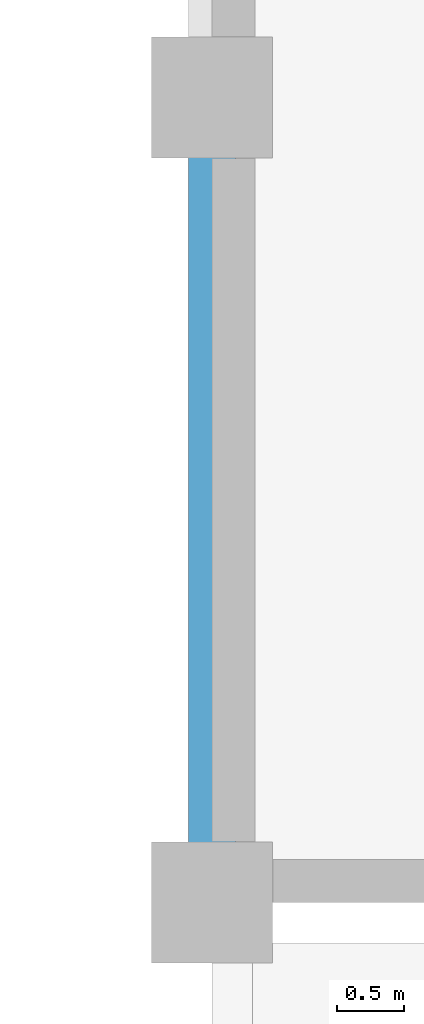
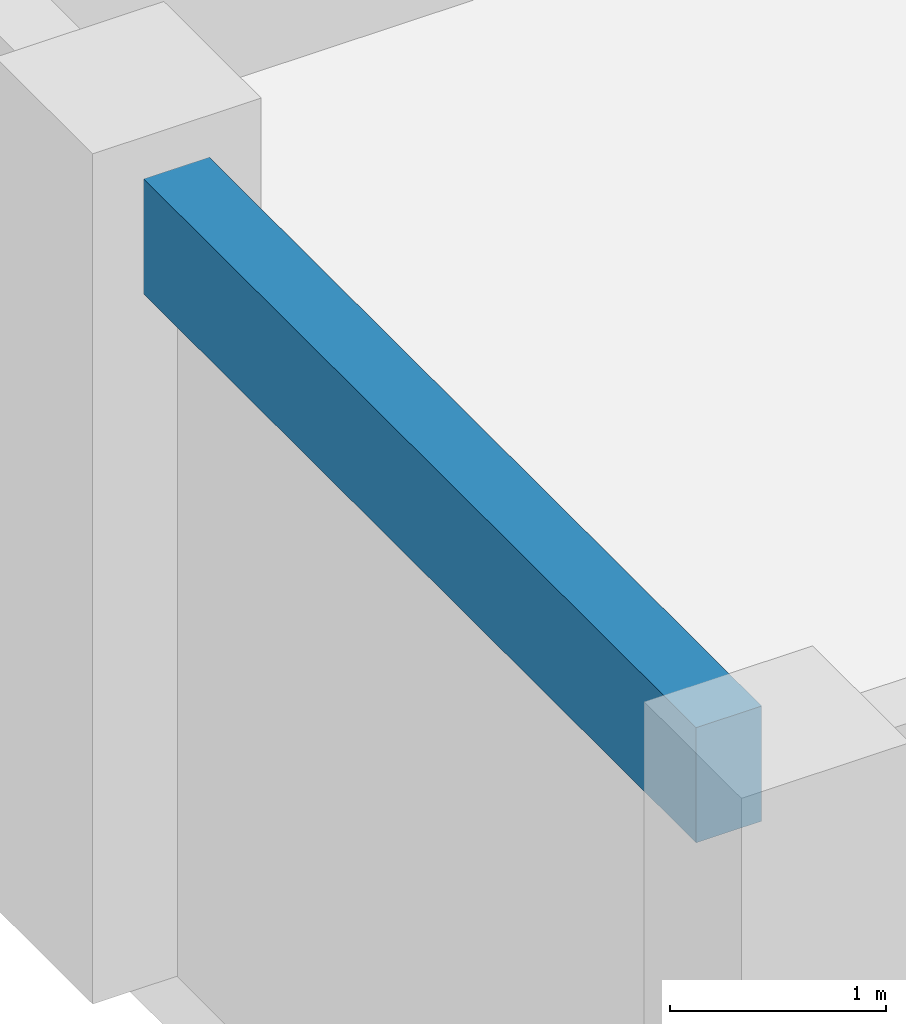
# One storey, part 22 of 112: 1 beam.
"""IFC4 building model written with IfcOpenShell, lengths in metres."""

from ifc_helpers import new_model, si_unit, direction, frame, origin, origin_2d, place, context, subcontext, project, spatial, rectangle, extrude, material, material_profile, profile_set, type_object, element, save


model = new_model("IFC4")

# Units and contexts
model_context = context("Model", 3, precision=1e-05, world=origin(), true_north=direction((0.0, 1.0)))
body_context = subcontext(model_context, "Body", "Model", "MODEL_VIEW")
ifc_project = project(units=[si_unit("LENGTHUNIT", "METRE"), si_unit("AREAUNIT", "SQUARE_METRE"), si_unit("VOLUMEUNIT", "CUBIC_METRE"), si_unit("PLANEANGLEUNIT", "RADIAN"), si_unit("MASSUNIT", "GRAM", prefix="KILO"), si_unit("THERMODYNAMICTEMPERATUREUNIT", "KELVIN"), si_unit("POWERUNIT", "WATT")], contexts=[model_context])

# Site, building, storey
site_placement = place(None, origin())
site = spatial("IfcSite", under=ifc_project, at=site_placement, CompositionType="ELEMENT")
building_placement = place(site_placement, origin())
building = spatial("IfcBuilding", under=site, at=building_placement, Name="Phaisarnlok Congress Hotel", CompositionType="ELEMENT")
storey_placement = place(building_placement, frame((0.0, 0.0, 19.800048828125)))
storey = spatial("IfcBuildingStorey", under=building, at=storey_placement, Name="L04", CompositionType="ELEMENT", Elevation=19.800048828125)

# Beam
ifc_material = material(Name="Concrete C40/50", Category="concrete")
ifc_material_profile = material_profile(ifc_material, rectangle(XDim=0.35009765625, YDim=0.64990234375, at=origin_2d()), Name="RC 350x650")
ifc_profile_set = profile_set([ifc_material_profile], Name="Concrete C40/50")
beam_type = type_object("IfcBeamType", Name="SP-RC-350x650", PredefinedType="SPANDREL", material=ifc_profile_set)
beam_placement = place(storey_placement, frame((96.0, 24.445068359375, 4.23486328125), z_axis=(0.0, 1.0, 0.0), x_axis=(-1.0, 0.0, 0.0)))
element("IfcBeam", 1, at=beam_placement, inside=storey, type_object=beam_type, Name="Beam SP-01", PredefinedType="SPANDREL", context=body_context, shape_type="SweptSolid", body=[
    extrude(rectangle(XDim=0.35009765625, YDim=0.64990234375, at=origin_2d()), origin(), (0.0, 0.0, 1.0), 5.10986328125),
])

save(model, "model.ifc")
